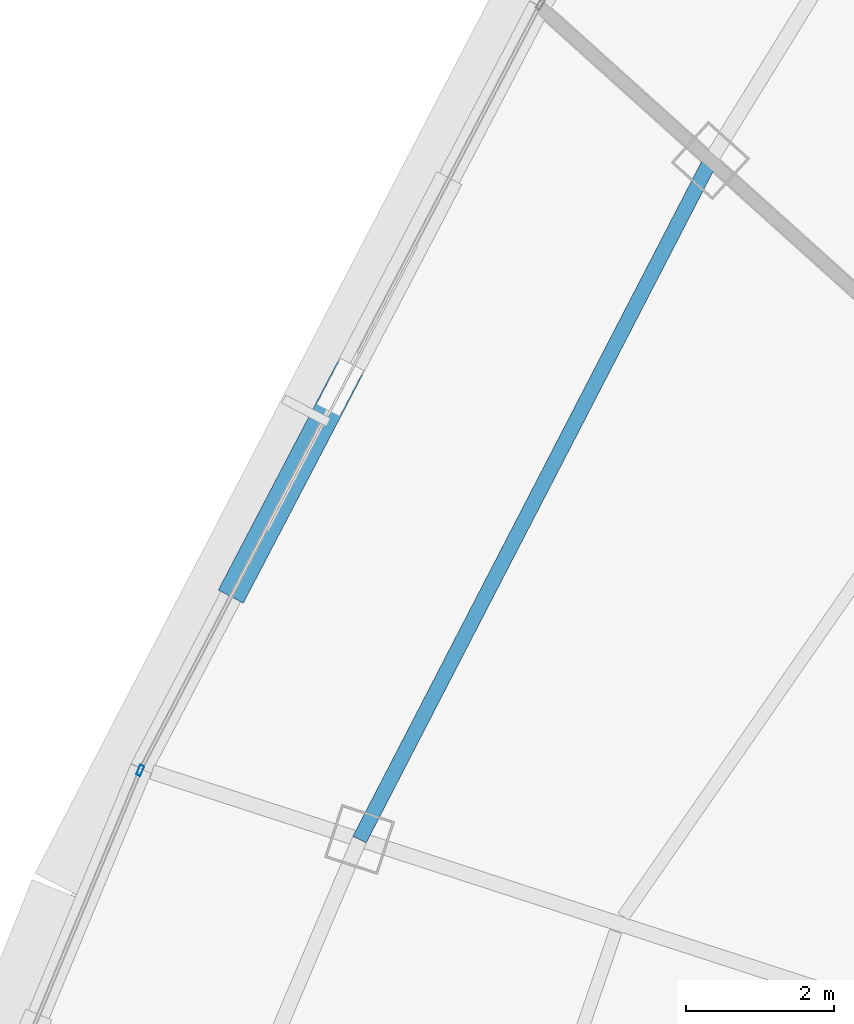
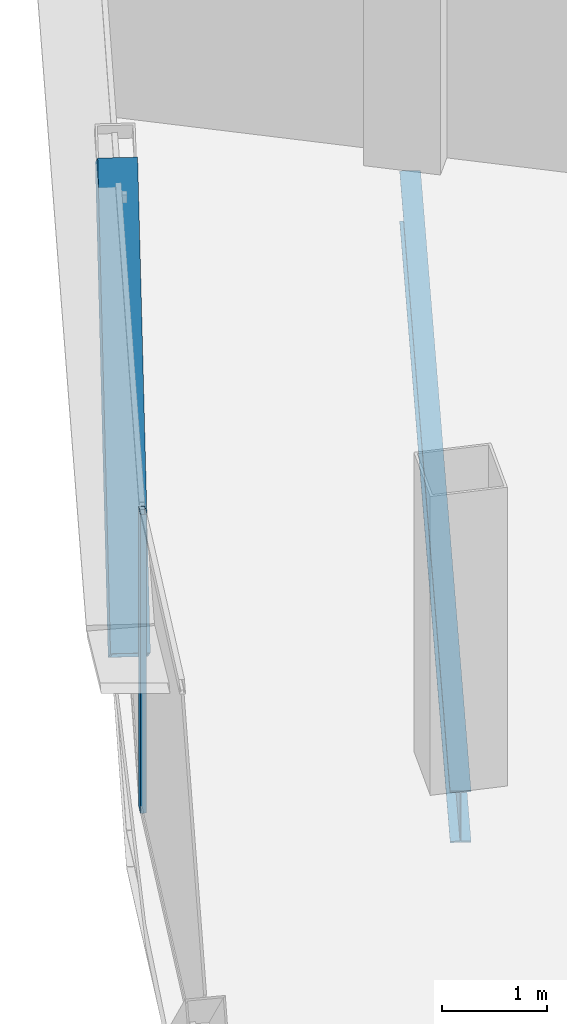
# One storey, part 8 of 37: 2 members, 1 beam, 1 element without a shape of its own.
"""IFC4 building model written with IfcOpenShell, lengths in metres."""

from ifc_helpers import new_model, si_unit, direction, frame, origin, origin_2d, place, context, subcontext, project, spatial, hollow_rectangle, i_section, extrude, source, transform, mapped, material, layer, layer_set, material_profile, profile_set, type_object, element, aggregate, save


model = new_model("IFC4")

# Units and contexts
model_context = context("Model", 3, precision=1e-05, world=origin(), true_north=direction((0.0, 1.0)))
body_context = subcontext(model_context, "Body", "Model", "MODEL_VIEW")
ifc_project = project(units=[si_unit("LENGTHUNIT", "METRE"), si_unit("AREAUNIT", "SQUARE_METRE"), si_unit("VOLUMEUNIT", "CUBIC_METRE"), si_unit("PLANEANGLEUNIT", "RADIAN"), si_unit("MASSUNIT", "GRAM", prefix="KILO"), si_unit("THERMODYNAMICTEMPERATUREUNIT", "KELVIN"), si_unit("POWERUNIT", "WATT")], contexts=[model_context])

# Site, building, storey
site_placement = place(None, origin())
site = spatial("IfcSite", under=ifc_project, at=site_placement, CompositionType="ELEMENT")
building_placement = place(site_placement, origin())
building = spatial("IfcBuilding", under=site, at=building_placement, Name="Yunzhuo Pagoda Commons", CompositionType="ELEMENT")
storey_placement = place(building_placement, frame((0.0, 0.0, 277.56005859375)))
storey = spatial("IfcBuildingStorey", under=building, at=storey_placement, Name="L69", CompositionType="ELEMENT", Elevation=277.56005859375)

# Beam
ifc_material_1 = material(Name="Structural steel Q355B", Category="steel")
ifc_material_profile_1 = material_profile(ifc_material_1, i_section(OverallWidth=0.199951171875, OverallDepth=0.60009765625, WebThickness=0.010986328125, FlangeThickness=0.01708984375, at=origin_2d()), Name="Structural steel Q355B")
ifc_profile_set_1 = profile_set([ifc_material_profile_1], Name="Structural steel Q355B")
beam_type = type_object("IfcBeamType", Name="B-RG3 Beam HN 600x200x11x17", PredefinedType="BEAM", material=ifc_profile_set_1)
shared_shape_1 = source(origin(), body_context, "Body", "SweptSolid", [
    extrude(i_section(OverallWidth=0.199951171875, OverallDepth=0.60009765625, WebThickness=0.010986328125, FlangeThickness=0.01708984375, at=origin_2d()), origin(), (0.0, 0.0, 1.0), 10.3017578125),
])
beam_placement = place(storey_placement, frame((29.4267578125, 50.423583984375, -0.56005859375), z_axis=(-0.459070867827, -0.888399650108, 0.0), x_axis=(0.888399650108, -0.459070867827, 0.0)))
element("IfcBeam", 1, at=beam_placement, inside=storey, type_object=beam_type, Name="L69 column-ring beam 10", PredefinedType="BEAM", context=body_context, shape_type="MappedRepresentation", body=[
    mapped(shared_shape_1, transform((0.0, 0.0, 0.0), scale=1.0)),
])

# Member
ifc_material_profile_2 = material_profile(ifc_material_1, hollow_rectangle(XDim=0.3798828125, YDim=0.719970703125, WallThickness=0.02001953125, at=origin_2d()), Name="Structural steel Q355B")
ifc_profile_set_2 = profile_set([ifc_material_profile_2], Name="Structural steel Q355B")
member_type_1 = type_object("IfcMemberType", Name="M-DL3 Brace BOX 720x380x20", PredefinedType="BRACE", material=ifc_profile_set_2)
shared_shape_2 = source(origin(), body_context, "Body", "SweptSolid", [
    extrude(hollow_rectangle(XDim=0.3798828125, YDim=0.719970703125, WallThickness=0.02001953125, at=origin_2d()), origin(), (0.0, 0.0, 1.0), 4.723388671875),
])
member_1_placement = place(storey_placement, frame((23.093017578125, 44.797119140625, -0.260009765625), z_axis=(0.284024371624, 0.543807172676, 0.789685959904), x_axis=(-0.886384969123, 0.462948902702, 0.0)))
element("IfcMember", 2, at=member_1_placement, inside=storey, type_object=member_type_1, Name="L69 facade diamond brace F3.2R", PredefinedType="BRACE", context=body_context, shape_type="MappedRepresentation", body=[
    mapped(shared_shape_2, transform((0.0, 0.0, 0.0), scale=1.0)),
])

# Curtain wall, member
ifc_material_2 = material(Name="Anodized aluminium 6063-T6", Category="aluminium")
ifc_layer = layer(ifc_material_2, 0.139892578125)
ifc_layer_set = layer_set([ifc_layer], Name="Anodized aluminium 6063-T6")
curtain_wall_type = type_object("IfcCurtainWallType", Name="CW-HI High-Zone Ribbon Curtain Wall", PredefinedType="NOTDEFINED", material=ifc_layer_set)
curtain_wall_placement = place(storey_placement, origin())
curtain_wall = element("IfcCurtainWall", 3, at=curtain_wall_placement, inside=storey, type_object=curtain_wall_type, Name="L69 curtain wall CW-L69-F3B4", PredefinedType="NOTDEFINED")
ifc_material_profile_3 = material_profile(ifc_material_2, hollow_rectangle(XDim=0.06005859375, YDim=0.139892578125, WallThickness=0.00341796875, at=origin_2d()), Name="Anodized aluminium 6063-T6")
ifc_profile_set_3 = profile_set([ifc_material_profile_3], Name="Anodized aluminium 6063-T6")
member_type_2 = type_object("IfcMemberType", Name="CW-HI-M Mullion RHS 140x60x3.5", PredefinedType="MULLION", material=ifc_profile_set_3)
shared_shape_3 = source(origin(), body_context, "Body", "SweptSolid", [
    extrude(hollow_rectangle(XDim=0.06005859375, YDim=0.139892578125, WallThickness=0.00341796875, at=origin_2d()), origin(), (0.0, 0.0, 1.0), 3.469970703125),
])
member_2_placement = place(storey_placement, frame((21.740234375, 42.200927734375, 0.0), z_axis=(0.0, 0.0, 1.0), x_axis=(0.923393531316, -0.383854642182, 0.0)))
member_2 = element("IfcMember", 4, at=member_2_placement, type_object=member_type_2, Name="CW mullion 1", PredefinedType="MULLION", context=body_context, shape_type="MappedRepresentation", body=[
    mapped(shared_shape_3, transform((0.0, 0.0, 0.0), scale=1.0)),
])
aggregate(curtain_wall, [member_2])

save(model, "model.ifc")
